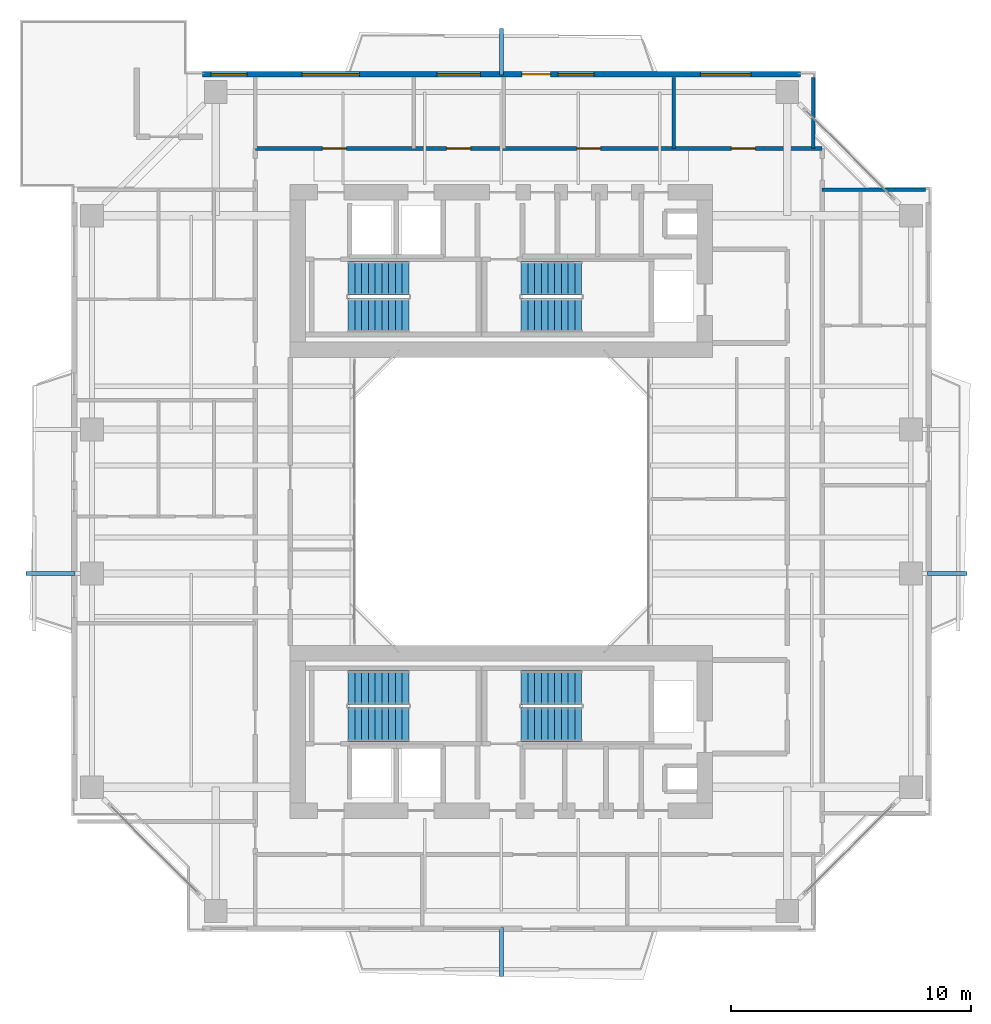
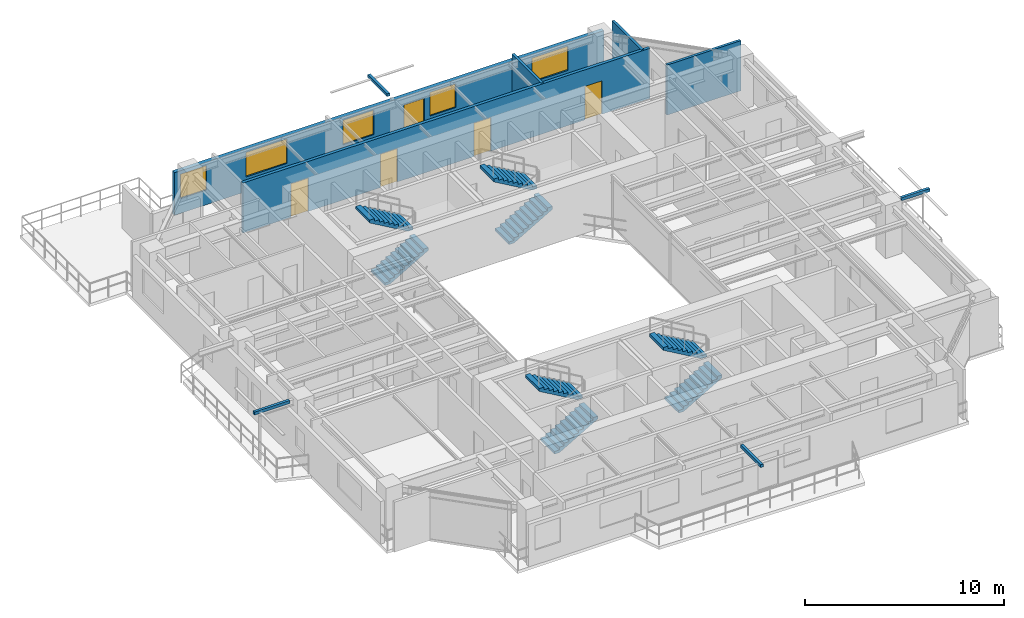
# One storey, part 14 of 17: 8 stair flights, 5 doors, 5 walls, 5 windows, 4 discrete accessories, 10 openings, 4 elements without a shape of their own.
"""IFC4 building model written with IfcOpenShell, lengths in metres."""

from ifc_helpers import new_model, si_unit, direction, frame, frame_2d, origin, origin_2d, place, context, subcontext, project, spatial, polyline, rectangle, outline, extrude, source, transform, mapped, material, layer, layer_set, type_object, element, fill, aggregate, save


model = new_model("IFC4")

# Units and contexts
model_context = context("Model", 3, precision=1e-05, world=origin(), true_north=direction((0.0, 1.0)))
body_context = subcontext(model_context, "Body", "Model", "MODEL_VIEW")
ifc_project = project(units=[si_unit("LENGTHUNIT", "METRE"), si_unit("AREAUNIT", "SQUARE_METRE"), si_unit("VOLUMEUNIT", "CUBIC_METRE"), si_unit("PLANEANGLEUNIT", "RADIAN"), si_unit("MASSUNIT", "GRAM", prefix="KILO"), si_unit("THERMODYNAMICTEMPERATUREUNIT", "KELVIN"), si_unit("POWERUNIT", "WATT")], contexts=[model_context])

# Site, building, storey
site_placement = place(None, origin())
site = spatial("IfcSite", under=ifc_project, at=site_placement, CompositionType="ELEMENT")
building_placement = place(site_placement, origin())
building = spatial("IfcBuilding", under=site, at=building_placement, Name="Qiaomeng Ring Towers", CompositionType="ELEMENT")
storey_placement = place(building_placement, frame((0.0, 0.0, 143.75)))
storey = spatial("IfcBuildingStorey", under=building, at=storey_placement, Name="L41", CompositionType="ELEMENT", Elevation=143.75)

# Wall, openings, windows, door
ifc_material_1 = material(Name="Precast concrete C40", Category="concrete")
ifc_layer_1 = layer(ifc_material_1, 0.219970703125, Name="Precast concrete C40")
ifc_layer_set_1 = layer_set([ifc_layer_1], Name="Precast concrete C40")
wall_type_1 = type_object("IfcWallType", Name="ARC-WL-EW2", PredefinedType="STANDARD", material=ifc_layer_set_1)
wall_1_placement = place(storey_placement, frame((6.550048828125, 40.7900390625, 0.0), z_axis=(0.0, 0.0, 1.0), x_axis=(1.0, 0.0, 0.0)))
wall_1 = element("IfcWall", 1, at=wall_1_placement, inside=storey, type_object=wall_type_1, Name="L41 Tower 1 N Exterior Wall", PredefinedType="STANDARD", context=body_context, shape_type="SweptSolid", body=[
    extrude(rectangle(XDim=24.89990234375, YDim=0.219970703125, at=frame_2d((12.449951171875, 0.0))), origin(), (0.0, 0.0, 1.0), 2.610107421875),
])
opening_1_placement = place(wall_1_placement, frame((13.300048828125, 0.0, 0.0)))
opening_1 = element("IfcOpeningElement", 2, at=opening_1_placement, cuts=wall_1, Name="Opening BD1", PredefinedType="OPENING", context=body_context, shape_type="SweptSolid", body=[
    extrude(rectangle(XDim=1.199951171875, YDim=2.10009765625, at=frame_2d((0.60009765625, 1.050048828125))), frame((0.0, 0.119873046875, 0.0), z_axis=(0.0, -1.0, 0.0), x_axis=(1.0, 0.0, 0.0)), (0.0, 0.0, 1.0), 0.239990234375),
])
opening_2_placement = place(wall_1_placement, frame((0.357421875, 0.0, 0.89990234375)))
opening_2 = element("IfcOpeningElement", 3, at=opening_2_placement, cuts=wall_1, Name="Opening WN2", PredefinedType="OPENING", context=body_context, shape_type="SweptSolid", body=[
    extrude(rectangle(XDim=1.5, YDim=1.5, at=frame_2d((0.75, 0.75))), frame((0.0, 0.119873046875, 0.0), z_axis=(0.0, -1.0, 0.0), x_axis=(1.0, 0.0, 0.0)), (0.0, 0.0, 1.0), 0.239990234375),
])
opening_3_placement = place(wall_1_placement, frame((9.77001953125, 0.0, 0.89990234375)))
opening_3 = element("IfcOpeningElement", 4, at=opening_3_placement, cuts=wall_1, Name="Opening WN1", PredefinedType="OPENING", context=body_context, shape_type="SweptSolid", body=[
    extrude(rectangle(XDim=1.800048828125, YDim=1.5, at=frame_2d((0.89990234375, 0.75))), frame((0.0, 0.119873046875, 0.0), z_axis=(0.0, -1.0, 0.0), x_axis=(1.0, 0.0, 0.0)), (0.0, 0.0, 1.0), 0.239990234375),
])
opening_4_placement = place(wall_1_placement, frame((14.81298828125, 0.0, 0.89990234375)))
opening_4 = element("IfcOpeningElement", 5, at=opening_4_placement, cuts=wall_1, Name="Opening WN2", PredefinedType="OPENING", context=body_context, shape_type="SweptSolid", body=[
    extrude(rectangle(XDim=1.5, YDim=1.449951171875, at=frame_2d((0.75, 0.72509765625))), frame((0.0, 0.119873046875, 0.0), z_axis=(0.0, -1.0, 0.0), x_axis=(1.0, 0.0, 0.0)), (0.0, 0.0, 1.0), 0.239990234375),
])
opening_5_placement = place(wall_1_placement, frame((20.738037109375, 0.0, 0.89990234375)))
opening_5 = element("IfcOpeningElement", 6, at=opening_5_placement, cuts=wall_1, Name="Opening WN4", PredefinedType="OPENING", context=body_context, shape_type="SweptSolid", body=[
    extrude(rectangle(XDim=2.10009765625, YDim=1.47998046875, at=frame_2d((1.050048828125, 0.739990234375))), frame((0.0, 0.119873046875, 0.0), z_axis=(0.0, -1.0, 0.0), x_axis=(1.0, 0.0, 0.0)), (0.0, 0.0, 1.0), 0.239990234375),
])
opening_6_placement = place(wall_1_placement, frame((4.136474609375, 0.0, 0.89990234375)))
opening_6 = element("IfcOpeningElement", 7, at=opening_6_placement, cuts=wall_1, Name="Opening WN6", PredefinedType="OPENING", context=body_context, shape_type="SweptSolid", body=[
    extrude(rectangle(XDim=2.39990234375, YDim=1.5, at=frame_2d((1.199951171875, 0.75))), frame((0.0, 0.119873046875, 0.0), z_axis=(0.0, -1.0, 0.0), x_axis=(1.0, 0.0, 0.0)), (0.0, 0.0, 1.0), 0.239990234375),
])
ifc_material_2 = material(Name="Low-E dark-grey laminated double glazing", Category="glass")
window_type_1 = type_object("IfcWindowType", Name="ARC-WN-2", PartitioningType="DOUBLE_PANEL_VERTICAL", PredefinedType="WINDOW", material=ifc_material_2)
shared_shape_1 = source(origin(), body_context, "Body", "SweptSolid", [
    extrude(rectangle(XDim=1.5, YDim=1.449951171875, at=frame_2d((0.75, 0.72509765625))), frame((0.0, 0.030029296875, 0.0), z_axis=(0.0, -1.0, 0.0), x_axis=(1.0, 0.0, 0.0)), (0.0, 0.0, 1.0), 0.06005859375),
])
window_1_placement = place(opening_4_placement, origin())
window_1 = element("IfcWindow", 8, at=window_1_placement, inside=storey, type_object=window_type_1, Name="L41 Exterior Window WN2", OverallHeight=1.449951171875, OverallWidth=1.5, PartitioningType="DOUBLE_PANEL_VERTICAL", PredefinedType="WINDOW", context=body_context, shape_type="MappedRepresentation", body=[
    mapped(shared_shape_1, transform((0.0, 0.0, 0.0), x_axis=(1.0, 0.0, 0.0), y_axis=(0.0, 1.0, 0.0), z_axis=(0.0, 0.0, 1.0), scale=1.0)),
])
fill(opening_4, window_1)
window_type_2 = type_object("IfcWindowType", Name="ARC-WN-4", PartitioningType="TRIPLE_PANEL_VERTICAL", PredefinedType="WINDOW", material=ifc_material_2)
shared_shape_2 = source(origin(), body_context, "Body", "SweptSolid", [
    extrude(rectangle(XDim=2.10009765625, YDim=1.47998046875, at=frame_2d((1.050048828125, 0.739990234375))), frame((0.0, 0.030029296875, 0.0), z_axis=(0.0, -1.0, 0.0), x_axis=(1.0, 0.0, 0.0)), (0.0, 0.0, 1.0), 0.06005859375),
])
window_2_placement = place(opening_5_placement, origin())
window_2 = element("IfcWindow", 9, at=window_2_placement, inside=storey, type_object=window_type_2, Name="L41 Exterior Window WN4", OverallHeight=1.47998046875, OverallWidth=2.10009765625, PartitioningType="TRIPLE_PANEL_VERTICAL", PredefinedType="WINDOW", context=body_context, shape_type="MappedRepresentation", body=[
    mapped(shared_shape_2, transform((0.0, 0.0, 0.0), x_axis=(1.0, 0.0, 0.0), y_axis=(0.0, 1.0, 0.0), z_axis=(0.0, 0.0, 1.0), scale=1.0)),
])
fill(opening_5, window_2)
door_type_1 = type_object("IfcDoorType", Name="ARC-DR-BD1", OperationType="NOTDEFINED", PredefinedType="DOOR", material=ifc_material_2)
shared_shape_3 = source(origin(), body_context, "Body", "SweptSolid", [
    extrude(rectangle(XDim=1.199951171875, YDim=2.10009765625, at=frame_2d((0.60009765625, 1.050048828125))), frame((0.0, 0.02490234375, 0.0), z_axis=(0.0, -1.0, 0.0), x_axis=(1.0, 0.0, 0.0)), (0.0, 0.0, 1.0), 0.050048828125),
])
door_1_placement = place(opening_1_placement, origin())
door_1 = element("IfcDoor", 10, at=door_1_placement, inside=storey, type_object=door_type_1, Name="L41 N Balcony Glazed Door", OperationType="SINGLE_SWING_LEFT", OverallHeight=2.10009765625, OverallWidth=1.199951171875, PredefinedType="DOOR", context=body_context, shape_type="MappedRepresentation", body=[
    mapped(shared_shape_3, transform((0.0, 0.0, 0.0), x_axis=(1.0, 0.0, 0.0), y_axis=(0.0, 1.0, 0.0), z_axis=(0.0, 0.0, 1.0), scale=1.0)),
])
fill(opening_1, door_1)
shared_shape_4 = source(origin(), body_context, "Body", "SweptSolid", [
    extrude(rectangle(XDim=1.5, YDim=1.5, at=frame_2d((0.75, 0.75))), frame((0.0, 0.030029296875, 0.0), z_axis=(0.0, -1.0, 0.0), x_axis=(1.0, 0.0, 0.0)), (0.0, 0.0, 1.0), 0.06005859375),
])
window_3_placement = place(opening_2_placement, origin())
window_3 = element("IfcWindow", 11, at=window_3_placement, inside=storey, type_object=window_type_1, Name="L41 Exterior Window WN6", OverallHeight=1.5, OverallWidth=1.5, PartitioningType="TRIPLE_PANEL_VERTICAL", PredefinedType="WINDOW", context=body_context, shape_type="MappedRepresentation", body=[
    mapped(shared_shape_4, transform((0.0, 0.0, 0.0), x_axis=(1.0, 0.0, 0.0), y_axis=(0.0, 1.0, 0.0), z_axis=(0.0, 0.0, 1.0), scale=1.0)),
])
fill(opening_2, window_3)
window_type_3 = type_object("IfcWindowType", Name="ARC-WN-6", PartitioningType="TRIPLE_PANEL_VERTICAL", PredefinedType="WINDOW", material=ifc_material_2)
shared_shape_5 = source(origin(), body_context, "Body", "SweptSolid", [
    extrude(rectangle(XDim=2.39990234375, YDim=1.5, at=frame_2d((1.199951171875, 0.75))), frame((0.0, 0.030029296875, 0.0), z_axis=(0.0, -1.0, 0.0), x_axis=(1.0, 0.0, 0.0)), (0.0, 0.0, 1.0), 0.06005859375),
])
window_4_placement = place(opening_6_placement, origin())
window_4 = element("IfcWindow", 12, at=window_4_placement, inside=storey, type_object=window_type_3, Name="L41 Exterior Window WN6", OverallHeight=1.5, OverallWidth=2.39990234375, PartitioningType="TRIPLE_PANEL_VERTICAL", PredefinedType="WINDOW", context=body_context, shape_type="MappedRepresentation", body=[
    mapped(shared_shape_5, transform((0.0, 0.0, 0.0), x_axis=(1.0, 0.0, 0.0), y_axis=(0.0, 1.0, 0.0), z_axis=(0.0, 0.0, 1.0), scale=1.0)),
])
fill(opening_6, window_4)
window_type_4 = type_object("IfcWindowType", Name="ARC-WN-1", PartitioningType="DOUBLE_PANEL_VERTICAL", PredefinedType="WINDOW", material=ifc_material_2)
shared_shape_6 = source(origin(), body_context, "Body", "SweptSolid", [
    extrude(rectangle(XDim=1.800048828125, YDim=1.5, at=frame_2d((0.89990234375, 0.75))), frame((0.0, 0.030029296875, 0.0), z_axis=(0.0, -1.0, 0.0), x_axis=(1.0, 0.0, 0.0)), (0.0, 0.0, 1.0), 0.06005859375),
])
window_5_placement = place(opening_3_placement, origin())
window_5 = element("IfcWindow", 13, at=window_5_placement, inside=storey, type_object=window_type_4, Name="L41 Exterior Window WN1", OverallHeight=1.5, OverallWidth=1.800048828125, PartitioningType="DOUBLE_PANEL_VERTICAL", PredefinedType="WINDOW", context=body_context, shape_type="MappedRepresentation", body=[
    mapped(shared_shape_6, transform((0.0, 0.0, 0.0), x_axis=(1.0, 0.0, 0.0), y_axis=(0.0, 1.0, 0.0), z_axis=(0.0, 0.0, 1.0), scale=1.0)),
])
fill(opening_3, window_5)

# Wall, openings, doors
ifc_material_3 = material(Name="Autoclaved aerated concrete block", Category="concrete")
ifc_layer_2 = layer(ifc_material_3, 0.179931640625, Name="Autoclaved aerated concrete block")
ifc_layer_set_2 = layer_set([ifc_layer_2], Name="Autoclaved aerated concrete block")
wall_type_2 = type_object("IfcWallType", Name="ARC-WL-PW2", PredefinedType="PARTITIONING", material=ifc_layer_set_2)
wall_2_placement = place(storey_placement, frame((8.75, 37.699951171875, 0.0), z_axis=(0.0, 0.0, 1.0), x_axis=(1.0, 0.0, 0.0)))
wall_2 = element("IfcWall", 14, at=wall_2_placement, inside=storey, type_object=wall_type_2, Name="L41 Interior Wall PW2", PredefinedType="PARTITIONING", context=body_context, shape_type="SweptSolid", body=[
    extrude(rectangle(XDim=23.610107421875, YDim=0.179931640625, at=frame_2d((11.80517578125, 0.0))), origin(), (0.0, 0.0, 1.0), 3.070068359375),
])
opening_7_placement = place(wall_2_placement, frame((2.794921875, 0.0, 0.0)))
opening_7 = element("IfcOpeningElement", 15, at=opening_7_placement, cuts=wall_2, Name="Opening FD4", PredefinedType="OPENING", context=body_context, shape_type="SweptSolid", body=[
    extrude(rectangle(XDim=1.0, YDim=2.050048828125, at=frame_2d((0.5, 1.02490234375))), frame((0.0, 0.099853515625, 0.0), z_axis=(0.0, -1.0, 0.0), x_axis=(1.0, 0.0, 0.0)), (0.0, 0.0, 1.0), 0.199951171875),
])
opening_8_placement = place(wall_2_placement, frame((7.969970703125, 0.0, 0.0)))
opening_8 = element("IfcOpeningElement", 16, at=opening_8_placement, cuts=wall_2, Name="Opening FD4", PredefinedType="OPENING", context=body_context, shape_type="SweptSolid", body=[
    extrude(rectangle(XDim=1.0, YDim=2.050048828125, at=frame_2d((0.5, 1.02490234375))), frame((0.0, 0.099853515625, 0.0), z_axis=(0.0, -1.0, 0.0), x_axis=(1.0, 0.0, 0.0)), (0.0, 0.0, 1.0), 0.199951171875),
])
opening_9_placement = place(wall_2_placement, frame((13.385009765625, 0.0, 0.0)))
opening_9 = element("IfcOpeningElement", 17, at=opening_9_placement, cuts=wall_2, Name="Opening FD4", PredefinedType="OPENING", context=body_context, shape_type="SweptSolid", body=[
    extrude(rectangle(XDim=1.0, YDim=2.050048828125, at=frame_2d((0.5, 1.02490234375))), frame((0.0, 0.099853515625, 0.0), z_axis=(0.0, -1.0, 0.0), x_axis=(1.0, 0.0, 0.0)), (0.0, 0.0, 1.0), 0.199951171875),
])
opening_10_placement = place(wall_2_placement, frame((19.824951171875, 0.0, 0.0)))
opening_10 = element("IfcOpeningElement", 18, at=opening_10_placement, cuts=wall_2, Name="Opening FD4", PredefinedType="OPENING", context=body_context, shape_type="SweptSolid", body=[
    extrude(rectangle(XDim=1.0, YDim=2.050048828125, at=frame_2d((0.5, 1.02490234375))), frame((0.0, 0.099853515625, 0.0), z_axis=(0.0, -1.0, 0.0), x_axis=(1.0, 0.0, 0.0)), (0.0, 0.0, 1.0), 0.199951171875),
])
ifc_material_4 = material(Name="Engineered fire-rated oak timber", Category="wood")
door_type_2 = type_object("IfcDoorType", Name="ARC-DR-FD4", OperationType="NOTDEFINED", PredefinedType="DOOR", material=ifc_material_4)
shared_shape_7 = source(origin(), body_context, "Body", "SweptSolid", [
    extrude(rectangle(XDim=1.0, YDim=2.050048828125, at=frame_2d((0.5, 1.02490234375))), frame((0.0, 0.02490234375, 0.0), z_axis=(0.0, -1.0, 0.0), x_axis=(1.0, 0.0, 0.0)), (0.0, 0.0, 1.0), 0.050048828125),
])
door_2_placement = place(opening_7_placement, origin())
door_2 = element("IfcDoor", 19, at=door_2_placement, inside=storey, type_object=door_type_2, Name="L41 Door FD4", OperationType="SINGLE_SWING_LEFT", OverallHeight=2.050048828125, OverallWidth=1.0, PredefinedType="DOOR", context=body_context, shape_type="MappedRepresentation", body=[
    mapped(shared_shape_7, transform((0.0, 0.0, 0.0), x_axis=(1.0, 0.0, 0.0), y_axis=(0.0, 1.0, 0.0), z_axis=(0.0, 0.0, 1.0), scale=1.0)),
])
fill(opening_7, door_2)
door_3_placement = place(opening_8_placement, origin())
door_3 = element("IfcDoor", 20, at=door_3_placement, inside=storey, type_object=door_type_2, Name="L41 Door FD4", OperationType="SINGLE_SWING_RIGHT", OverallHeight=2.050048828125, OverallWidth=1.0, PredefinedType="DOOR", context=body_context, shape_type="MappedRepresentation", body=[
    mapped(shared_shape_7, transform((0.0, 0.0, 0.0), x_axis=(1.0, 0.0, 0.0), y_axis=(0.0, 1.0, 0.0), z_axis=(0.0, 0.0, 1.0), scale=1.0)),
])
fill(opening_8, door_3)
door_4_placement = place(opening_9_placement, origin())
door_4 = element("IfcDoor", 21, at=door_4_placement, inside=storey, type_object=door_type_2, Name="L41 Door FD4", OperationType="SINGLE_SWING_LEFT", OverallHeight=2.050048828125, OverallWidth=1.0, PredefinedType="DOOR", context=body_context, shape_type="MappedRepresentation", body=[
    mapped(shared_shape_7, transform((0.0, 0.0, 0.0), x_axis=(1.0, 0.0, 0.0), y_axis=(0.0, 1.0, 0.0), z_axis=(0.0, 0.0, 1.0), scale=1.0)),
])
fill(opening_9, door_4)
door_5_placement = place(opening_10_placement, origin())
door_5 = element("IfcDoor", 22, at=door_5_placement, inside=storey, type_object=door_type_2, Name="L41 Door FD4", OperationType="SINGLE_SWING_RIGHT", OverallHeight=2.050048828125, OverallWidth=1.0, PredefinedType="DOOR", context=body_context, shape_type="MappedRepresentation", body=[
    mapped(shared_shape_7, transform((0.0, 0.0, 0.0), x_axis=(1.0, 0.0, 0.0), y_axis=(0.0, 1.0, 0.0), z_axis=(0.0, 0.0, 1.0), scale=1.0)),
])
fill(opening_10, door_5)

# Walls
ifc_material_5 = material(Name="Gypsum fireboard steel-stud partition", Category="steel")
ifc_layer_3 = layer(ifc_material_5, 0.14990234375, Name="Gypsum fireboard steel-stud partition")
ifc_layer_set_3 = layer_set([ifc_layer_3], Name="Gypsum fireboard steel-stud partition")
wall_type_3 = type_object("IfcWallType", Name="ARC-WL-PW3", PredefinedType="PARTITIONING", material=ifc_layer_set_3)
for number, where, z_axis, x_axis, name in (
    (23, (26.169921875, 37.699951171875, 0.0), (0.0, 0.0, 1.0), (0.0, 1.0, 0.0), "L41 Interior Wall PW3"),
    (24, (31.97998046875, 37.699951171875, 0.0), (0.0, 0.0, 1.0), (0.0, 1.0, 0.0), "L41 Interior Wall PW3"),
):
    element("IfcWall", number, at=place(storey_placement, frame(where, z_axis=z_axis, x_axis=x_axis)), inside=storey, type_object=wall_type_3, Name=name, PredefinedType="PARTITIONING", context=body_context, shape_type="SweptSolid", body=[
        extrude(rectangle(XDim=2.949951171875, YDim=0.14990234375, at=frame_2d((1.47509765625, 0.0))), origin(), (0.0, 0.0, 1.0), 3.070068359375),
    ])
wall_3_placement = place(storey_placement, frame((32.360107421875, 35.97998046875, 0.0), z_axis=(0.0, 0.0, 1.0), x_axis=(1.0, 0.0, 0.0)))
element("IfcWall", 25, at=wall_3_placement, inside=storey, type_object=wall_type_3, Name="L41 Interior Wall PW3", PredefinedType="PARTITIONING", context=body_context, shape_type="SweptSolid", body=[
    extrude(rectangle(XDim=4.289794921875, YDim=0.14990234375, at=frame_2d((2.14501953125, 0.0))), origin(), (0.0, 0.0, 1.0), 3.070068359375),
])

# Stair, stair flights
stair_type = type_object("IfcStairType", Name="ARC-ST-325", PredefinedType="HALF_TURN_STAIR", material=ifc_material_1)
stair_1_placement = place(storey_placement, origin())
stair_1 = element("IfcStair", 26, at=stair_1_placement, inside=storey, type_object=stair_type, Name="L41 Tower 1 North Stair 1", PredefinedType="HALF_TURN_STAIR")
stair_flight_type = type_object("IfcStairFlightType", Name="ARC-ST-325-FL", PredefinedType="STRAIGHT", material=ifc_material_1)
shared_shape_8 = source(origin(), body_context, "Body", "SweptSolid", [
    extrude(outline(polyline([(0.0, 0.0), (0.0, 0.16259765625), (0.280029296875, 0.16259765625), (0.280029296875, 0.324951171875), (0.56005859375, 0.324951171875), (0.56005859375, 0.487548828125), (0.840087890625, 0.487548828125), (0.840087890625, 0.64990234375), (1.1201171875, 0.64990234375), (1.1201171875, 0.8125), (1.39990234375, 0.8125), (1.39990234375, 0.97509765625), (1.679931640625, 0.97509765625), (1.679931640625, 1.137451171875), (1.9599609375, 1.137451171875), (1.9599609375, 1.300048828125), (2.239990234375, 1.300048828125), (2.239990234375, 1.46240234375), (2.52001953125, 1.46240234375), (2.52001953125, 1.625), (2.52001953125, 1.2890625), (0.298583984375, 0.0), (0.0, 0.0)])), frame((0.0, 0.699951171875, 0.0), z_axis=(0.0, -1.0, 0.0), x_axis=(1.0, 0.0, 0.0)), (0.0, 0.0, 1.0), 1.39990234375),
])
stair_flight_1_placement = place(storey_placement, frame((12.6201171875, 30.75, 0.0), z_axis=(0.0, 0.0, 1.0), x_axis=(1.0, 0.0, 0.0)))
stair_flight_1 = element("IfcStairFlight", 27, at=stair_flight_1_placement, type_object=stair_flight_type, Name="ST1 flight 1", NumberOfRisers=10, NumberOfTreads=9, PredefinedType="STRAIGHT", RiserHeight=0.1625, TreadLength=0.28, context=body_context, shape_type="MappedRepresentation", body=[
    mapped(shared_shape_8, transform((0.0, 0.0, 0.0), x_axis=(1.0, 0.0, 0.0), y_axis=(0.0, 1.0, 0.0), z_axis=(0.0, 0.0, 1.0), scale=1.0)),
])
stair_flight_2_placement = place(storey_placement, frame((15.139892578125, 32.2900390625, 1.625), z_axis=(0.0, 0.0, 1.0), x_axis=(-1.0, 0.0, 0.0)))
stair_flight_2 = element("IfcStairFlight", 28, at=stair_flight_2_placement, type_object=stair_flight_type, Name="ST1 flight 2", NumberOfRisers=10, NumberOfTreads=9, PredefinedType="STRAIGHT", RiserHeight=0.1625, TreadLength=0.28, context=body_context, shape_type="MappedRepresentation", body=[
    mapped(shared_shape_8, transform((0.0, 0.0, 0.0), x_axis=(1.0, 0.0, 0.0), y_axis=(0.0, 1.0, 0.0), z_axis=(0.0, 0.0, 1.0), scale=1.0)),
])
aggregate(stair_1, [stair_flight_1, stair_flight_2])

stair_2_placement = place(storey_placement, origin())
stair_2 = element("IfcStair", 29, at=stair_2_placement, inside=storey, type_object=stair_type, Name="L41 Tower 1 North Stair 2", PredefinedType="HALF_TURN_STAIR")
stair_flight_3_placement = place(storey_placement, frame((19.820068359375, 30.75, 0.0), z_axis=(0.0, 0.0, 1.0), x_axis=(1.0, 0.0, 0.0)))
stair_flight_3 = element("IfcStairFlight", 30, at=stair_flight_3_placement, type_object=stair_flight_type, Name="ST2 flight 1", NumberOfRisers=10, NumberOfTreads=9, PredefinedType="STRAIGHT", RiserHeight=0.1625, TreadLength=0.28, context=body_context, shape_type="MappedRepresentation", body=[
    mapped(shared_shape_8, transform((0.0, 0.0, 0.0), x_axis=(1.0, 0.0, 0.0), y_axis=(0.0, 1.0, 0.0), z_axis=(0.0, 0.0, 1.0), scale=1.0)),
])
stair_flight_4_placement = place(storey_placement, frame((22.340087890625, 32.2900390625, 1.625), z_axis=(0.0, 0.0, 1.0), x_axis=(-1.0, 0.0, 0.0)))
stair_flight_4 = element("IfcStairFlight", 31, at=stair_flight_4_placement, type_object=stair_flight_type, Name="ST2 flight 2", NumberOfRisers=10, NumberOfTreads=9, PredefinedType="STRAIGHT", RiserHeight=0.1625, TreadLength=0.28, context=body_context, shape_type="MappedRepresentation", body=[
    mapped(shared_shape_8, transform((0.0, 0.0, 0.0), x_axis=(1.0, 0.0, 0.0), y_axis=(0.0, 1.0, 0.0), z_axis=(0.0, 0.0, 1.0), scale=1.0)),
])
aggregate(stair_2, [stair_flight_3, stair_flight_4])

stair_3_placement = place(storey_placement, origin())
stair_3 = element("IfcStair", 32, at=stair_3_placement, inside=storey, type_object=stair_type, Name="L41 Tower 1 South Stair 3", PredefinedType="HALF_TURN_STAIR")
stair_flight_5_placement = place(storey_placement, frame((12.6201171875, 13.7099609375, 0.0), z_axis=(0.0, 0.0, 1.0), x_axis=(1.0, 0.0, 0.0)))
stair_flight_5 = element("IfcStairFlight", 33, at=stair_flight_5_placement, type_object=stair_flight_type, Name="ST3 flight 1", NumberOfRisers=10, NumberOfTreads=9, PredefinedType="STRAIGHT", RiserHeight=0.1625, TreadLength=0.28, context=body_context, shape_type="MappedRepresentation", body=[
    mapped(shared_shape_8, transform((0.0, 0.0, 0.0), x_axis=(1.0, 0.0, 0.0), y_axis=(0.0, 1.0, 0.0), z_axis=(0.0, 0.0, 1.0), scale=1.0)),
])
stair_flight_6_placement = place(storey_placement, frame((15.139892578125, 15.25, 1.625), z_axis=(0.0, 0.0, 1.0), x_axis=(-1.0, 0.0, 0.0)))
stair_flight_6 = element("IfcStairFlight", 34, at=stair_flight_6_placement, type_object=stair_flight_type, Name="ST3 flight 2", NumberOfRisers=10, NumberOfTreads=9, PredefinedType="STRAIGHT", RiserHeight=0.1625, TreadLength=0.28, context=body_context, shape_type="MappedRepresentation", body=[
    mapped(shared_shape_8, transform((0.0, 0.0, 0.0), x_axis=(1.0, 0.0, 0.0), y_axis=(0.0, 1.0, 0.0), z_axis=(0.0, 0.0, 1.0), scale=1.0)),
])
aggregate(stair_3, [stair_flight_5, stair_flight_6])

stair_4_placement = place(storey_placement, origin())
stair_4 = element("IfcStair", 35, at=stair_4_placement, inside=storey, type_object=stair_type, Name="L41 Tower 1 South Stair 4", PredefinedType="HALF_TURN_STAIR")
stair_flight_7_placement = place(storey_placement, frame((19.820068359375, 13.7099609375, 0.0), z_axis=(0.0, 0.0, 1.0), x_axis=(1.0, 0.0, 0.0)))
stair_flight_7 = element("IfcStairFlight", 36, at=stair_flight_7_placement, type_object=stair_flight_type, Name="ST4 flight 1", NumberOfRisers=10, NumberOfTreads=9, PredefinedType="STRAIGHT", RiserHeight=0.1625, TreadLength=0.28, context=body_context, shape_type="MappedRepresentation", body=[
    mapped(shared_shape_8, transform((0.0, 0.0, 0.0), x_axis=(1.0, 0.0, 0.0), y_axis=(0.0, 1.0, 0.0), z_axis=(0.0, 0.0, 1.0), scale=1.0)),
])
stair_flight_8_placement = place(storey_placement, frame((22.340087890625, 15.25, 1.625), z_axis=(0.0, 0.0, 1.0), x_axis=(-1.0, 0.0, 0.0)))
stair_flight_8 = element("IfcStairFlight", 37, at=stair_flight_8_placement, type_object=stair_flight_type, Name="ST4 flight 2", NumberOfRisers=10, NumberOfTreads=9, PredefinedType="STRAIGHT", RiserHeight=0.1625, TreadLength=0.28, context=body_context, shape_type="MappedRepresentation", body=[
    mapped(shared_shape_8, transform((0.0, 0.0, 0.0), x_axis=(1.0, 0.0, 0.0), y_axis=(0.0, 1.0, 0.0), z_axis=(0.0, 0.0, 1.0), scale=1.0)),
])
aggregate(stair_4, [stair_flight_7, stair_flight_8])

# Discrete accessories
ifc_material_6 = material(Name="Stainless steel 316", Category="steel")
discrete_accessory_type = type_object("IfcDiscreteAccessoryType", Name="ARC-ACC-BRACKET", PredefinedType="BRACKET", material=ifc_material_6)
shared_shape_9 = source(origin(), body_context, "Body", "SweptSolid", [
    extrude(rectangle(XDim=0.159912109375, YDim=2.030029296875, at=origin_2d()), origin(), (0.0, 0.0, 1.0), 0.179931640625),
])
discrete_accessory_1_placement = place(storey_placement, frame((19.0, 4.235107421875, 2.89990234375), z_axis=(0.0, 0.0, 1.0), x_axis=(1.0, 0.0, 0.0)))
element("IfcDiscreteAccessory", 38, at=discrete_accessory_1_placement, inside=storey, type_object=discrete_accessory_type, Name="L41 Stainless Outer-Skin Tie Bracket S", PredefinedType="BRACKET", context=body_context, shape_type="MappedRepresentation", body=[
    mapped(shared_shape_9, transform((0.0, 0.0, 0.0), x_axis=(1.0, 0.0, 0.0), y_axis=(0.0, 1.0, 0.0), z_axis=(0.0, 0.0, 1.0), scale=1.0)),
])
shared_shape_10 = source(origin(), body_context, "Body", "SweptSolid", [
    extrude(rectangle(XDim=1.6298828125, YDim=0.159912109375, at=origin_2d()), origin(), (0.0, 0.0, 1.0), 0.179931640625),
])
discrete_accessory_2_placement = place(storey_placement, frame((37.56494140625, 20.0, 2.89990234375), z_axis=(0.0, 0.0, 1.0), x_axis=(1.0, 0.0, 0.0)))
element("IfcDiscreteAccessory", 39, at=discrete_accessory_2_placement, inside=storey, type_object=discrete_accessory_type, Name="L41 Stainless Outer-Skin Tie Bracket E", PredefinedType="BRACKET", context=body_context, shape_type="MappedRepresentation", body=[
    mapped(shared_shape_10, transform((0.0, 0.0, 0.0), x_axis=(1.0, 0.0, 0.0), y_axis=(0.0, 1.0, 0.0), z_axis=(0.0, 0.0, 1.0), scale=1.0)),
])
shared_shape_11 = source(origin(), body_context, "Body", "SweptSolid", [
    extrude(rectangle(XDim=0.159912109375, YDim=1.949951171875, at=origin_2d()), origin(), (0.0, 0.0, 1.0), 0.179931640625),
])
discrete_accessory_3_placement = place(storey_placement, frame((19.0, 41.72509765625, 2.89990234375), z_axis=(0.0, 0.0, 1.0), x_axis=(1.0, 0.0, 0.0)))
element("IfcDiscreteAccessory", 40, at=discrete_accessory_3_placement, inside=storey, type_object=discrete_accessory_type, Name="L41 Stainless Outer-Skin Tie Bracket N", PredefinedType="BRACKET", context=body_context, shape_type="MappedRepresentation", body=[
    mapped(shared_shape_11, transform((0.0, 0.0, 0.0), x_axis=(1.0, 0.0, 0.0), y_axis=(0.0, 1.0, 0.0), z_axis=(0.0, 0.0, 1.0), scale=1.0)),
])
shared_shape_12 = source(origin(), body_context, "Body", "SweptSolid", [
    extrude(rectangle(XDim=2.050048828125, YDim=0.159912109375, at=origin_2d()), origin(), (0.0, 0.0, 1.0), 0.179931640625),
])
discrete_accessory_4_placement = place(storey_placement, frame((0.22509765625, 20.0, 2.89990234375), z_axis=(0.0, 0.0, 1.0), x_axis=(1.0, 0.0, 0.0)))
element("IfcDiscreteAccessory", 41, at=discrete_accessory_4_placement, inside=storey, type_object=discrete_accessory_type, Name="L41 Stainless Outer-Skin Tie Bracket W", PredefinedType="BRACKET", context=body_context, shape_type="MappedRepresentation", body=[
    mapped(shared_shape_12, transform((0.0, 0.0, 0.0), x_axis=(1.0, 0.0, 0.0), y_axis=(0.0, 1.0, 0.0), z_axis=(0.0, 0.0, 1.0), scale=1.0)),
])

save(model, "model.ifc")
